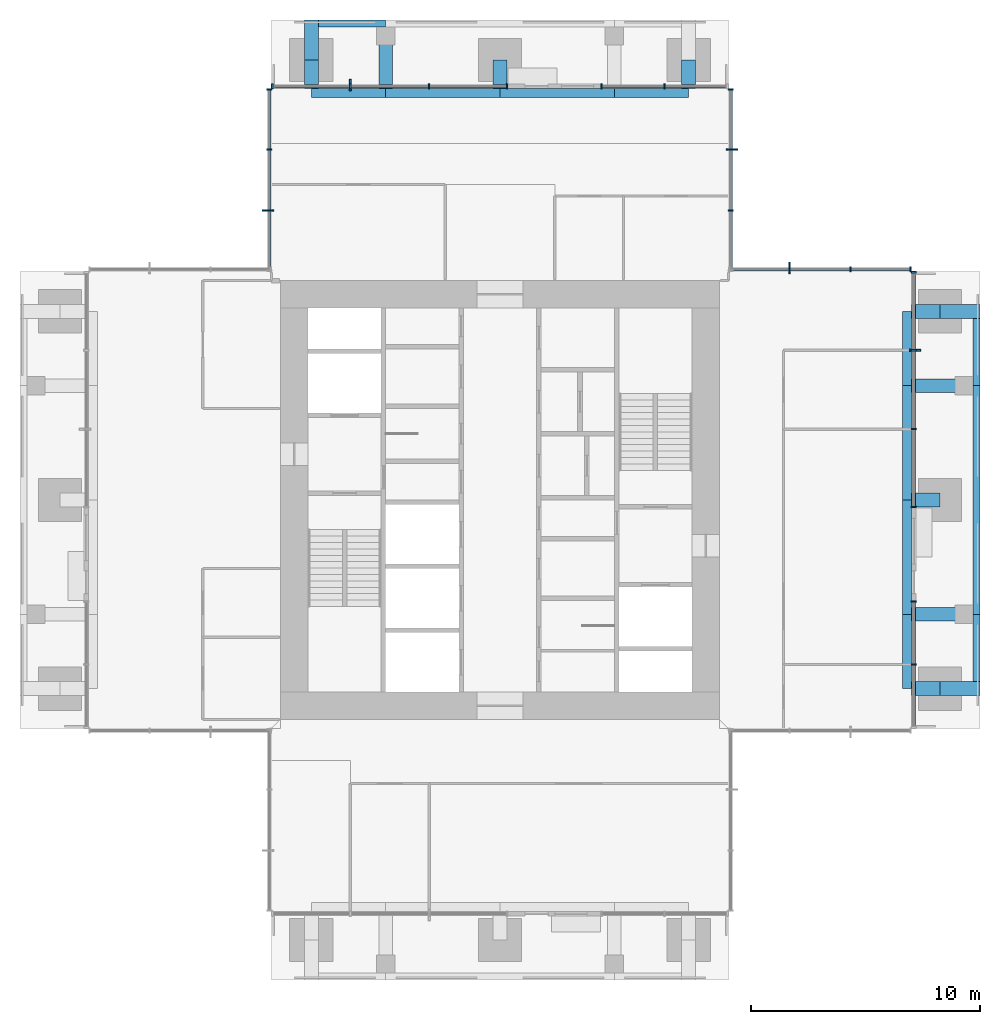
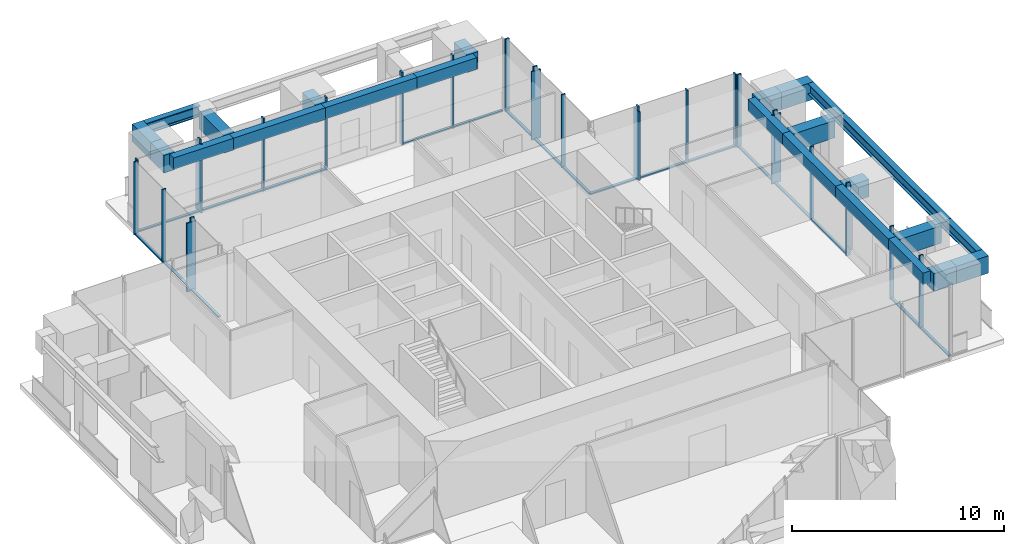
# One storey, part 4 of 12: 45 members, 24 beams, 7 elements without a shape of their own.
"""IFC4 building model written with IfcOpenShell, lengths in metres."""

from ifc_helpers import new_model, si_unit, direction, frame, origin, origin_2d, place, context, subcontext, project, spatial, rectangle, i_section, extrude, material, material_profile, profile_set, type_object, element, aggregate, save


model = new_model("IFC4")

# Units and contexts
model_context = context("Model", 3, precision=1e-05, world=origin(), true_north=direction((0.0, 1.0)))
body_context = subcontext(model_context, "Body", "Model", "MODEL_VIEW")
ifc_project = project(units=[si_unit("LENGTHUNIT", "METRE"), si_unit("AREAUNIT", "SQUARE_METRE"), si_unit("VOLUMEUNIT", "CUBIC_METRE"), si_unit("PLANEANGLEUNIT", "RADIAN"), si_unit("MASSUNIT", "GRAM", prefix="KILO")], contexts=[model_context])

# Site, building, storey
site_placement = place(None, origin())
site = spatial("IfcSite", under=ifc_project, at=site_placement, CompositionType="ELEMENT")
building_placement = place(site_placement, origin())
building = spatial("IfcBuilding", under=site, at=building_placement, Name="Svetlomir Tower", CompositionType="ELEMENT")
storey_placement = place(building_placement, frame((0.0, 0.0, 260.800048828125)))
storey = spatial("IfcBuildingStorey", under=building, at=storey_placement, Name="L62", CompositionType="ELEMENT", Elevation=260.800048828125)

# Curtain wall, member
ifc_material_1 = material(Name="Bronze anodised aluminium curtain wall", Category="aluminium")
curtain_wall_type = type_object("IfcCurtainWallType", Name="CURTAIN WALL CW4 EXECUTIVE", PredefinedType="NOTDEFINED", material=ifc_material_1)
curtain_wall_1_placement = place(storey_placement, origin())
curtain_wall_1 = element("IfcCurtainWall", 1, at=curtain_wall_1_placement, inside=storey, type_object=curtain_wall_type, Name="Curtain wall CW4 L62", PredefinedType="NOTDEFINED")
ifc_material_2 = material(Name="Bronze anodised aluminium", Category="aluminium")
ifc_material_profile_1 = material_profile(ifc_material_2, rectangle(XDim=0.080078125, YDim=0.5, at=origin_2d()), Name="FIN 80x500")
ifc_profile_set_1 = profile_set([ifc_material_profile_1], Name="Bronze anodised aluminium 6063-T6")
member_type_1 = type_object("IfcMemberType", Name="BRONZE FIN 80x500", PredefinedType="USERDEFINED", material=ifc_profile_set_1)
member_1_placement = place(storey_placement, frame((39.14990234375, 27.550048828125, 0.0), z_axis=(0.0, 0.0, 1.0), x_axis=(0.0, 1.0, 0.0)))
member_1 = element("IfcMember", 2, at=member_1_placement, type_object=member_type_1, Name="Bronze fin L62", ObjectType="FIN", PredefinedType="USERDEFINED", context=body_context, shape_type="SweptSolid", body=[
    extrude(rectangle(XDim=0.080078125, YDim=0.5, at=origin_2d()), origin(), (0.0, 0.0, 1.0), 3.949951171875),
])

curtain_wall_2_placement = place(storey_placement, origin())
curtain_wall_2 = element("IfcCurtainWall", 3, at=curtain_wall_2_placement, inside=storey, type_object=curtain_wall_type, Name="Curtain wall CW4 L62", PredefinedType="NOTDEFINED")
member_2_placement = place(storey_placement, frame((33.666748046875, 31.14990234375, 0.0), z_axis=(0.0, 0.0, 1.0), x_axis=(1.0, 0.0, 0.0)))
member_2 = element("IfcMember", 4, at=member_2_placement, type_object=member_type_1, Name="Bronze fin L62", ObjectType="FIN", PredefinedType="USERDEFINED", context=body_context, shape_type="SweptSolid", body=[
    extrude(rectangle(XDim=0.080078125, YDim=0.5, at=origin_2d()), origin(), (0.0, 0.0, 1.0), 3.949951171875),
])

curtain_wall_3_placement = place(storey_placement, origin())
curtain_wall_3 = element("IfcCurtainWall", 5, at=curtain_wall_3_placement, inside=storey, type_object=curtain_wall_type, Name="Curtain wall CW4 L62", PredefinedType="NOTDEFINED")
member_3_placement = place(storey_placement, frame((31.14990234375, 36.333251953125, 0.0), z_axis=(0.0, 0.0, 1.0), x_axis=(0.0, 1.0, 0.0)))
member_3 = element("IfcMember", 6, at=member_3_placement, type_object=member_type_1, Name="Bronze fin L62", ObjectType="FIN", PredefinedType="USERDEFINED", context=body_context, shape_type="SweptSolid", body=[
    extrude(rectangle(XDim=0.080078125, YDim=0.5, at=origin_2d()), origin(), (0.0, 0.0, 1.0), 3.949951171875),
])

curtain_wall_4_placement = place(storey_placement, origin())
curtain_wall_4 = element("IfcCurtainWall", 7, at=curtain_wall_4_placement, inside=storey, type_object=curtain_wall_type, Name="Curtain wall CW4 L62", PredefinedType="NOTDEFINED")
member_4_placement = place(storey_placement, frame((14.449951171875, 39.14990234375, 0.0), z_axis=(0.0, 0.0, 1.0), x_axis=(1.0, 0.0, 0.0)))
member_4 = element("IfcMember", 8, at=member_4_placement, type_object=member_type_1, Name="Bronze fin L62", ObjectType="FIN", PredefinedType="USERDEFINED", context=body_context, shape_type="SweptSolid", body=[
    extrude(rectangle(XDim=0.080078125, YDim=0.5, at=origin_2d()), origin(), (0.0, 0.0, 1.0), 3.949951171875),
])

curtain_wall_5_placement = place(storey_placement, origin())
curtain_wall_5 = element("IfcCurtainWall", 9, at=curtain_wall_5_placement, inside=storey, type_object=curtain_wall_type, Name="Curtain wall CW4 L62", PredefinedType="NOTDEFINED")
member_5_placement = place(storey_placement, frame((10.85009765625, 33.666748046875, 0.0), z_axis=(0.0, 0.0, 1.0), x_axis=(0.0, 1.0, 0.0)))
member_5 = element("IfcMember", 10, at=member_5_placement, type_object=member_type_1, Name="Bronze fin L62", ObjectType="FIN", PredefinedType="USERDEFINED", context=body_context, shape_type="SweptSolid", body=[
    extrude(rectangle(XDim=0.080078125, YDim=0.5, at=origin_2d()), origin(), (0.0, 0.0, 1.0), 3.949951171875),
])

# Curtain wall, members
curtain_wall_6_placement = place(storey_placement, origin())
curtain_wall_6 = element("IfcCurtainWall", 11, at=curtain_wall_6_placement, inside=storey, type_object=curtain_wall_type, Name="Curtain wall CW4 L62", PredefinedType="NOTDEFINED")
ifc_material_3 = material(Name="Bronze anodised aluminium", Category="aluminium")
ifc_material_profile_2 = material_profile(ifc_material_3, rectangle(XDim=0.074951171875, YDim=0.219970703125, at=origin_2d()), Name="AL 75x220")
ifc_profile_set_2 = profile_set([ifc_material_profile_2], Name="Bronze anodised aluminium 6063-T6")
member_type_2 = type_object("IfcMemberType", Name="CW4 MULLION 75x220", PredefinedType="MULLION", material=ifc_profile_set_2)
member_6_placement = place(storey_placement, frame((39.10009765625, 13.800048828125, 0.0), z_axis=(0.0, 0.0, 1.0), x_axis=(0.0, 1.0, 0.0)))
member_6 = element("IfcMember", 12, at=member_6_placement, type_object=member_type_2, Name="CW4 mullion 2", PredefinedType="MULLION", context=body_context, shape_type="SweptSolid", body=[
    extrude(rectangle(XDim=0.074951171875, YDim=0.219970703125, at=origin_2d()), origin(), (0.0, 0.0, 1.0), 4.199951171875),
])
member_7_placement = place(storey_placement, frame((39.10009765625, 16.5625, 0.0), z_axis=(0.0, 0.0, 1.0), x_axis=(0.0, 1.0, 0.0)))
member_7 = element("IfcMember", 13, at=member_7_placement, type_object=member_type_2, Name="CW4 mullion 3", PredefinedType="MULLION", context=body_context, shape_type="SweptSolid", body=[
    extrude(rectangle(XDim=0.074951171875, YDim=0.219970703125, at=origin_2d()), origin(), (0.0, 0.0, 1.0), 4.199951171875),
])

# Member
member_8_placement = place(storey_placement, frame((39.10009765625, 20.6875, 0.0), z_axis=(0.0, 0.0, 1.0), x_axis=(0.0, 1.0, 0.0)))
member_8 = element("IfcMember", 14, at=member_8_placement, type_object=member_type_2, Name="CW4 mullion 1", PredefinedType="MULLION", context=body_context, shape_type="SweptSolid", body=[
    extrude(rectangle(XDim=0.074951171875, YDim=0.219970703125, at=origin_2d()), origin(), (0.0, 0.0, 1.0), 4.199951171875),
])

member_9_placement = place(storey_placement, frame((39.10009765625, 24.10009765625, 0.0), z_axis=(0.0, 0.0, 1.0), x_axis=(0.0, 1.0, 0.0)))
member_9 = element("IfcMember", 15, at=member_9_placement, type_object=member_type_2, Name="CW4 mullion 2", PredefinedType="MULLION", context=body_context, shape_type="SweptSolid", body=[
    extrude(rectangle(XDim=0.074951171875, YDim=0.219970703125, at=origin_2d()), origin(), (0.0, 0.0, 1.0), 4.199951171875),
])

member_10_placement = place(storey_placement, frame((39.10009765625, 27.550048828125, 0.0), z_axis=(0.0, 0.0, 1.0), x_axis=(0.0, 1.0, 0.0)))
member_10 = element("IfcMember", 16, at=member_10_placement, type_object=member_type_2, Name="CW4 mullion 3", PredefinedType="MULLION", context=body_context, shape_type="SweptSolid", body=[
    extrude(rectangle(XDim=0.074951171875, YDim=0.219970703125, at=origin_2d()), origin(), (0.0, 0.0, 1.0), 4.199951171875),
])

member_11_placement = place(storey_placement, frame((39.10009765625, 30.96240234375, 0.0), z_axis=(0.0, 0.0, 1.0), x_axis=(0.0, 1.0, 0.0)))
member_11 = element("IfcMember", 17, at=member_11_placement, type_object=member_type_2, Name="CW4 mullion 4", PredefinedType="MULLION", context=body_context, shape_type="SweptSolid", body=[
    extrude(rectangle(XDim=0.074951171875, YDim=0.219970703125, at=origin_2d()), origin(), (0.0, 0.0, 1.0), 4.199951171875),
])

member_12_placement = place(storey_placement, frame((38.96240234375, 31.10009765625, 0.0), z_axis=(0.0, 0.0, 1.0), x_axis=(-1.0, 0.0, 0.0)))
member_12 = element("IfcMember", 18, at=member_12_placement, type_object=member_type_2, Name="CW4 mullion 1", PredefinedType="MULLION", context=body_context, shape_type="SweptSolid", body=[
    extrude(rectangle(XDim=0.074951171875, YDim=0.219970703125, at=origin_2d()), origin(), (0.0, 0.0, 1.0), 4.199951171875),
])

member_13_placement = place(storey_placement, frame((36.333251953125, 31.10009765625, 0.0), z_axis=(0.0, 0.0, 1.0), x_axis=(-1.0, 0.0, 0.0)))
member_13 = element("IfcMember", 19, at=member_13_placement, type_object=member_type_2, Name="CW4 mullion 2", PredefinedType="MULLION", context=body_context, shape_type="SweptSolid", body=[
    extrude(rectangle(XDim=0.074951171875, YDim=0.219970703125, at=origin_2d()), origin(), (0.0, 0.0, 1.0), 4.199951171875),
])

member_14_placement = place(storey_placement, frame((33.666748046875, 31.10009765625, 0.0), z_axis=(0.0, 0.0, 1.0), x_axis=(-1.0, 0.0, 0.0)))
member_14 = element("IfcMember", 20, at=member_14_placement, type_object=member_type_2, Name="CW4 mullion 3", PredefinedType="MULLION", context=body_context, shape_type="SweptSolid", body=[
    extrude(rectangle(XDim=0.074951171875, YDim=0.219970703125, at=origin_2d()), origin(), (0.0, 0.0, 1.0), 4.199951171875),
])

member_15_placement = place(storey_placement, frame((31.10009765625, 33.666748046875, 0.0), z_axis=(0.0, 0.0, 1.0), x_axis=(0.0, 1.0, 0.0)))
member_15 = element("IfcMember", 21, at=member_15_placement, type_object=member_type_2, Name="CW4 mullion 2", PredefinedType="MULLION", context=body_context, shape_type="SweptSolid", body=[
    extrude(rectangle(XDim=0.074951171875, YDim=0.219970703125, at=origin_2d()), origin(), (0.0, 0.0, 1.0), 4.199951171875),
])

member_16_placement = place(storey_placement, frame((31.10009765625, 36.333251953125, 0.0), z_axis=(0.0, 0.0, 1.0), x_axis=(0.0, 1.0, 0.0)))
member_16 = element("IfcMember", 22, at=member_16_placement, type_object=member_type_2, Name="CW4 mullion 3", PredefinedType="MULLION", context=body_context, shape_type="SweptSolid", body=[
    extrude(rectangle(XDim=0.074951171875, YDim=0.219970703125, at=origin_2d()), origin(), (0.0, 0.0, 1.0), 4.199951171875),
])

member_17_placement = place(storey_placement, frame((31.10009765625, 38.96240234375, 0.0), z_axis=(0.0, 0.0, 1.0), x_axis=(0.0, 1.0, 0.0)))
member_17 = element("IfcMember", 23, at=member_17_placement, type_object=member_type_2, Name="CW4 mullion 4", PredefinedType="MULLION", context=body_context, shape_type="SweptSolid", body=[
    extrude(rectangle(XDim=0.074951171875, YDim=0.219970703125, at=origin_2d()), origin(), (0.0, 0.0, 1.0), 4.199951171875),
])

# Curtain wall, members
curtain_wall_7_placement = place(storey_placement, origin())
curtain_wall_7 = element("IfcCurtainWall", 24, at=curtain_wall_7_placement, inside=storey, type_object=curtain_wall_type, Name="Curtain wall CW4 L62", PredefinedType="NOTDEFINED")
member_18_placement = place(storey_placement, frame((28.199951171875, 39.10009765625, 0.0), z_axis=(0.0, 0.0, 1.0), x_axis=(-1.0, 0.0, 0.0)))
member_18 = element("IfcMember", 25, at=member_18_placement, type_object=member_type_2, Name="CW4 mullion 2", PredefinedType="MULLION", context=body_context, shape_type="SweptSolid", body=[
    extrude(rectangle(XDim=0.074951171875, YDim=0.219970703125, at=origin_2d()), origin(), (0.0, 0.0, 1.0), 4.199951171875),
])
member_19_placement = place(storey_placement, frame((25.4375, 39.10009765625, 0.0), z_axis=(0.0, 0.0, 1.0), x_axis=(-1.0, 0.0, 0.0)))
member_19 = element("IfcMember", 26, at=member_19_placement, type_object=member_type_2, Name="CW4 mullion 3", PredefinedType="MULLION", context=body_context, shape_type="SweptSolid", body=[
    extrude(rectangle(XDim=0.074951171875, YDim=0.219970703125, at=origin_2d()), origin(), (0.0, 0.0, 1.0), 4.199951171875),
])

# Member
member_20_placement = place(storey_placement, frame((21.3125, 39.10009765625, 0.0), z_axis=(0.0, 0.0, 1.0), x_axis=(-1.0, 0.0, 0.0)))
member_20 = element("IfcMember", 27, at=member_20_placement, type_object=member_type_2, Name="CW4 mullion 1", PredefinedType="MULLION", context=body_context, shape_type="SweptSolid", body=[
    extrude(rectangle(XDim=0.074951171875, YDim=0.219970703125, at=origin_2d()), origin(), (0.0, 0.0, 1.0), 4.199951171875),
])

member_21_placement = place(storey_placement, frame((17.89990234375, 39.10009765625, 0.0), z_axis=(0.0, 0.0, 1.0), x_axis=(-1.0, 0.0, 0.0)))
member_21 = element("IfcMember", 28, at=member_21_placement, type_object=member_type_2, Name="CW4 mullion 2", PredefinedType="MULLION", context=body_context, shape_type="SweptSolid", body=[
    extrude(rectangle(XDim=0.074951171875, YDim=0.219970703125, at=origin_2d()), origin(), (0.0, 0.0, 1.0), 4.199951171875),
])

member_22_placement = place(storey_placement, frame((14.449951171875, 39.10009765625, 0.0), z_axis=(0.0, 0.0, 1.0), x_axis=(-1.0, 0.0, 0.0)))
member_22 = element("IfcMember", 29, at=member_22_placement, type_object=member_type_2, Name="CW4 mullion 3", PredefinedType="MULLION", context=body_context, shape_type="SweptSolid", body=[
    extrude(rectangle(XDim=0.074951171875, YDim=0.219970703125, at=origin_2d()), origin(), (0.0, 0.0, 1.0), 4.199951171875),
])

member_23_placement = place(storey_placement, frame((11.03759765625, 39.10009765625, 0.0), z_axis=(0.0, 0.0, 1.0), x_axis=(-1.0, 0.0, 0.0)))
member_23 = element("IfcMember", 30, at=member_23_placement, type_object=member_type_2, Name="CW4 mullion 4", PredefinedType="MULLION", context=body_context, shape_type="SweptSolid", body=[
    extrude(rectangle(XDim=0.074951171875, YDim=0.219970703125, at=origin_2d()), origin(), (0.0, 0.0, 1.0), 4.199951171875),
])

member_24_placement = place(storey_placement, frame((10.89990234375, 38.96240234375, 0.0), z_axis=(0.0, 0.0, 1.0), x_axis=(0.0, -1.0, 0.0)))
member_24 = element("IfcMember", 31, at=member_24_placement, type_object=member_type_2, Name="CW4 mullion 1", PredefinedType="MULLION", context=body_context, shape_type="SweptSolid", body=[
    extrude(rectangle(XDim=0.074951171875, YDim=0.219970703125, at=origin_2d()), origin(), (0.0, 0.0, 1.0), 4.199951171875),
])

member_25_placement = place(storey_placement, frame((10.89990234375, 36.333251953125, 0.0), z_axis=(0.0, 0.0, 1.0), x_axis=(0.0, -1.0, 0.0)))
member_25 = element("IfcMember", 32, at=member_25_placement, type_object=member_type_2, Name="CW4 mullion 2", PredefinedType="MULLION", context=body_context, shape_type="SweptSolid", body=[
    extrude(rectangle(XDim=0.074951171875, YDim=0.219970703125, at=origin_2d()), origin(), (0.0, 0.0, 1.0), 4.199951171875),
])

member_26_placement = place(storey_placement, frame((10.89990234375, 33.666748046875, 0.0), z_axis=(0.0, 0.0, 1.0), x_axis=(0.0, -1.0, 0.0)))
member_26 = element("IfcMember", 33, at=member_26_placement, type_object=member_type_2, Name="CW4 mullion 3", PredefinedType="MULLION", context=body_context, shape_type="SweptSolid", body=[
    extrude(rectangle(XDim=0.074951171875, YDim=0.219970703125, at=origin_2d()), origin(), (0.0, 0.0, 1.0), 4.199951171875),
])

ifc_material_4 = material(Name="Bronze anodised aluminium", Category="aluminium")
ifc_material_profile_3 = material_profile(ifc_material_4, rectangle(XDim=0.14990234375, YDim=0.074951171875, at=origin_2d()), Name="AL 150x75")
ifc_profile_set_3 = profile_set([ifc_material_profile_3], Name="Bronze anodised aluminium 6063-T6")
member_type_3 = type_object("IfcMemberType", Name="CW4 TRANSOM 75x150", PredefinedType="USERDEFINED", material=ifc_profile_set_3)
member_27_placement = place(storey_placement, frame((39.10009765625, 11.074951171875, 0.037353515625), z_axis=(0.0, 1.0, 0.0), x_axis=(-1.0, 0.0, 0.0)))
member_27 = element("IfcMember", 34, at=member_27_placement, type_object=member_type_3, Name="CW4 transom 1.1", ObjectType="TRANSOM", PredefinedType="USERDEFINED", context=body_context, shape_type="SweptSolid", body=[
    extrude(rectangle(XDim=0.14990234375, YDim=0.074951171875, at=origin_2d()), origin(), (0.0, 0.0, 1.0), 2.6875),
])

member_28_placement = place(storey_placement, frame((39.10009765625, 13.83740234375, 0.037353515625), z_axis=(0.0, 1.0, 0.0), x_axis=(-1.0, 0.0, 0.0)))
member_28 = element("IfcMember", 35, at=member_28_placement, type_object=member_type_3, Name="CW4 transom 2.1", ObjectType="TRANSOM", PredefinedType="USERDEFINED", context=body_context, shape_type="SweptSolid", body=[
    extrude(rectangle(XDim=0.14990234375, YDim=0.074951171875, at=origin_2d()), origin(), (0.0, 0.0, 1.0), 2.6875),
])

aggregate(curtain_wall_6, [member_6, member_7, member_27, member_28])

member_29_placement = place(storey_placement, frame((39.10009765625, 20.72509765625, 0.037353515625), z_axis=(0.0, 1.0, 0.0), x_axis=(-1.0, 0.0, 0.0)))
member_29 = element("IfcMember", 36, at=member_29_placement, type_object=member_type_3, Name="CW4 transom 1.1", ObjectType="TRANSOM", PredefinedType="USERDEFINED", context=body_context, shape_type="SweptSolid", body=[
    extrude(rectangle(XDim=0.14990234375, YDim=0.074951171875, at=origin_2d()), origin(), (0.0, 0.0, 1.0), 3.33740234375),
])

member_30_placement = place(storey_placement, frame((39.10009765625, 24.137451171875, 0.037353515625), z_axis=(0.0, 1.0, 0.0), x_axis=(-1.0, 0.0, 0.0)))
member_30 = element("IfcMember", 37, at=member_30_placement, type_object=member_type_3, Name="CW4 transom 2.1", ObjectType="TRANSOM", PredefinedType="USERDEFINED", context=body_context, shape_type="SweptSolid", body=[
    extrude(rectangle(XDim=0.14990234375, YDim=0.074951171875, at=origin_2d()), origin(), (0.0, 0.0, 1.0), 3.375),
])

member_31_placement = place(storey_placement, frame((39.10009765625, 27.58740234375, 0.037353515625), z_axis=(0.0, 1.0, 0.0), x_axis=(-1.0, 0.0, 0.0)))
member_31 = element("IfcMember", 38, at=member_31_placement, type_object=member_type_3, Name="CW4 transom 3.1", ObjectType="TRANSOM", PredefinedType="USERDEFINED", context=body_context, shape_type="SweptSolid", body=[
    extrude(rectangle(XDim=0.14990234375, YDim=0.074951171875, at=origin_2d()), origin(), (0.0, 0.0, 1.0), 3.337646484375),
])

aggregate(curtain_wall_1, [member_8, member_9, member_10, member_11, member_29, member_30, member_31, member_1])

member_32_placement = place(storey_placement, frame((38.925048828125, 31.10009765625, 0.037353515625), z_axis=(-1.0, 0.0, 0.0), x_axis=(0.0, -1.0, 0.0)))
member_32 = element("IfcMember", 39, at=member_32_placement, type_object=member_type_3, Name="CW4 transom 1.1", ObjectType="TRANSOM", PredefinedType="USERDEFINED", context=body_context, shape_type="SweptSolid", body=[
    extrude(rectangle(XDim=0.14990234375, YDim=0.074951171875, at=origin_2d()), origin(), (0.0, 0.0, 1.0), 2.55419921875),
])

member_33_placement = place(storey_placement, frame((36.2958984375, 31.10009765625, 0.037353515625), z_axis=(-1.0, 0.0, 0.0), x_axis=(0.0, -1.0, 0.0)))
member_33 = element("IfcMember", 40, at=member_33_placement, type_object=member_type_3, Name="CW4 transom 2.1", ObjectType="TRANSOM", PredefinedType="USERDEFINED", context=body_context, shape_type="SweptSolid", body=[
    extrude(rectangle(XDim=0.14990234375, YDim=0.074951171875, at=origin_2d()), origin(), (0.0, 0.0, 1.0), 2.591796875),
])

member_34_placement = place(storey_placement, frame((33.629150390625, 31.10009765625, 0.037353515625), z_axis=(-1.0, 0.0, 0.0), x_axis=(0.0, -1.0, 0.0)))
member_34 = element("IfcMember", 41, at=member_34_placement, type_object=member_type_3, Name="CW4 transom 3.1", ObjectType="TRANSOM", PredefinedType="USERDEFINED", context=body_context, shape_type="SweptSolid", body=[
    extrude(rectangle(XDim=0.14990234375, YDim=0.074951171875, at=origin_2d()), origin(), (0.0, 0.0, 1.0), 2.55419921875),
])

aggregate(curtain_wall_2, [member_12, member_13, member_14, member_32, member_33, member_34, member_2])

member_35_placement = place(storey_placement, frame((31.10009765625, 31.074951171875, 0.037353515625), z_axis=(0.0, 1.0, 0.0), x_axis=(-1.0, 0.0, 0.0)))
member_35 = element("IfcMember", 42, at=member_35_placement, type_object=member_type_3, Name="CW4 transom 1.1", ObjectType="TRANSOM", PredefinedType="USERDEFINED", context=body_context, shape_type="SweptSolid", body=[
    extrude(rectangle(XDim=0.14990234375, YDim=0.074951171875, at=origin_2d()), origin(), (0.0, 0.0, 1.0), 2.55419921875),
])

member_36_placement = place(storey_placement, frame((31.10009765625, 33.7041015625, 0.037353515625), z_axis=(0.0, 1.0, 0.0), x_axis=(-1.0, 0.0, 0.0)))
member_36 = element("IfcMember", 43, at=member_36_placement, type_object=member_type_3, Name="CW4 transom 2.1", ObjectType="TRANSOM", PredefinedType="USERDEFINED", context=body_context, shape_type="SweptSolid", body=[
    extrude(rectangle(XDim=0.14990234375, YDim=0.074951171875, at=origin_2d()), origin(), (0.0, 0.0, 1.0), 2.591796875),
])

member_37_placement = place(storey_placement, frame((31.10009765625, 36.370849609375, 0.037353515625), z_axis=(0.0, 1.0, 0.0), x_axis=(-1.0, 0.0, 0.0)))
member_37 = element("IfcMember", 44, at=member_37_placement, type_object=member_type_3, Name="CW4 transom 3.1", ObjectType="TRANSOM", PredefinedType="USERDEFINED", context=body_context, shape_type="SweptSolid", body=[
    extrude(rectangle(XDim=0.14990234375, YDim=0.074951171875, at=origin_2d()), origin(), (0.0, 0.0, 1.0), 2.55419921875),
])

aggregate(curtain_wall_3, [member_15, member_16, member_17, member_35, member_36, member_37, member_3])

member_38_placement = place(storey_placement, frame((30.925048828125, 39.10009765625, 0.037353515625), z_axis=(-1.0, 0.0, 0.0), x_axis=(0.0, -1.0, 0.0)))
member_38 = element("IfcMember", 45, at=member_38_placement, type_object=member_type_3, Name="CW4 transom 1.1", ObjectType="TRANSOM", PredefinedType="USERDEFINED", context=body_context, shape_type="SweptSolid", body=[
    extrude(rectangle(XDim=0.14990234375, YDim=0.074951171875, at=origin_2d()), origin(), (0.0, 0.0, 1.0), 2.6875),
])

member_39_placement = place(storey_placement, frame((28.16259765625, 39.10009765625, 0.037353515625), z_axis=(-1.0, 0.0, 0.0), x_axis=(0.0, -1.0, 0.0)))
member_39 = element("IfcMember", 46, at=member_39_placement, type_object=member_type_3, Name="CW4 transom 2.1", ObjectType="TRANSOM", PredefinedType="USERDEFINED", context=body_context, shape_type="SweptSolid", body=[
    extrude(rectangle(XDim=0.14990234375, YDim=0.074951171875, at=origin_2d()), origin(), (0.0, 0.0, 1.0), 2.6875),
])

aggregate(curtain_wall_7, [member_18, member_19, member_38, member_39])

member_40_placement = place(storey_placement, frame((21.27490234375, 39.10009765625, 0.037353515625), z_axis=(-1.0, 0.0, 0.0), x_axis=(0.0, -1.0, 0.0)))
member_40 = element("IfcMember", 47, at=member_40_placement, type_object=member_type_3, Name="CW4 transom 1.1", ObjectType="TRANSOM", PredefinedType="USERDEFINED", context=body_context, shape_type="SweptSolid", body=[
    extrude(rectangle(XDim=0.14990234375, YDim=0.074951171875, at=origin_2d()), origin(), (0.0, 0.0, 1.0), 3.33740234375),
])

member_41_placement = place(storey_placement, frame((17.862548828125, 39.10009765625, 0.037353515625), z_axis=(-1.0, 0.0, 0.0), x_axis=(0.0, -1.0, 0.0)))
member_41 = element("IfcMember", 48, at=member_41_placement, type_object=member_type_3, Name="CW4 transom 2.1", ObjectType="TRANSOM", PredefinedType="USERDEFINED", context=body_context, shape_type="SweptSolid", body=[
    extrude(rectangle(XDim=0.14990234375, YDim=0.074951171875, at=origin_2d()), origin(), (0.0, 0.0, 1.0), 3.375),
])

member_42_placement = place(storey_placement, frame((14.41259765625, 39.10009765625, 0.037353515625), z_axis=(-1.0, 0.0, 0.0), x_axis=(0.0, -1.0, 0.0)))
member_42 = element("IfcMember", 49, at=member_42_placement, type_object=member_type_3, Name="CW4 transom 3.1", ObjectType="TRANSOM", PredefinedType="USERDEFINED", context=body_context, shape_type="SweptSolid", body=[
    extrude(rectangle(XDim=0.14990234375, YDim=0.074951171875, at=origin_2d()), origin(), (0.0, 0.0, 1.0), 3.337646484375),
])

aggregate(curtain_wall_4, [member_20, member_21, member_22, member_23, member_40, member_41, member_42, member_4])

member_43_placement = place(storey_placement, frame((10.89990234375, 38.925048828125, 0.037353515625), z_axis=(0.0, -1.0, 0.0), x_axis=(1.0, 0.0, 0.0)))
member_43 = element("IfcMember", 50, at=member_43_placement, type_object=member_type_3, Name="CW4 transom 1.1", ObjectType="TRANSOM", PredefinedType="USERDEFINED", context=body_context, shape_type="SweptSolid", body=[
    extrude(rectangle(XDim=0.14990234375, YDim=0.074951171875, at=origin_2d()), origin(), (0.0, 0.0, 1.0), 2.55419921875),
])

member_44_placement = place(storey_placement, frame((10.89990234375, 36.2958984375, 0.037353515625), z_axis=(0.0, -1.0, 0.0), x_axis=(1.0, 0.0, 0.0)))
member_44 = element("IfcMember", 51, at=member_44_placement, type_object=member_type_3, Name="CW4 transom 2.1", ObjectType="TRANSOM", PredefinedType="USERDEFINED", context=body_context, shape_type="SweptSolid", body=[
    extrude(rectangle(XDim=0.14990234375, YDim=0.074951171875, at=origin_2d()), origin(), (0.0, 0.0, 1.0), 2.591796875),
])

member_45_placement = place(storey_placement, frame((10.89990234375, 33.629150390625, 0.037353515625), z_axis=(0.0, -1.0, 0.0), x_axis=(1.0, 0.0, 0.0)))
member_45 = element("IfcMember", 52, at=member_45_placement, type_object=member_type_3, Name="CW4 transom 3.1", ObjectType="TRANSOM", PredefinedType="USERDEFINED", context=body_context, shape_type="SweptSolid", body=[
    extrude(rectangle(XDim=0.14990234375, YDim=0.074951171875, at=origin_2d()), origin(), (0.0, 0.0, 1.0), 2.55419921875),
])

aggregate(curtain_wall_5, [member_24, member_25, member_26, member_43, member_44, member_45, member_5])

# Beams
ifc_material_5 = material(Name="Steel S355", Category="steel")
ifc_material_profile_4 = material_profile(ifc_material_5, i_section(OverallWidth=0.304931640625, OverallDepth=0.6201171875, WebThickness=0.02099609375, FlangeThickness=0.0400390625, FilletRadius=0.027099609375, at=origin_2d()), Name="HEM 600")
ifc_profile_set_4 = profile_set([ifc_material_profile_4], Name="Steel S355")
beam_type_1 = type_object("IfcBeamType", Name="EDGE BEAM HEM 600", PredefinedType="SPANDREL", material=ifc_profile_set_4)
for number, where, z_axis, x_axis, name in (
    (53, (41.847412109375, 13.050048828125, 3.639892578125), (0.0, 1.0, 0.0), (-1.0, 0.0, 0.0), "Edge beam 42/11 to 42/16 under L63"),
    (54, (13.050048828125, 41.847412109375, 3.639892578125), (1.0, 0.0, 0.0), (0.0, 1.0, 0.0), "Edge beam 11/42 to 16/42 under L63"),
):
    element("IfcBeam", number, at=place(storey_placement, frame(where, z_axis=z_axis, x_axis=x_axis)), inside=storey, type_object=beam_type_1, Name=name, PredefinedType="SPANDREL", context=body_context, shape_type="SweptSolid", body=[
        extrude(i_section(OverallWidth=0.304931640625, OverallDepth=0.6201171875, WebThickness=0.02099609375, FlangeThickness=0.0400390625, FilletRadius=0.027099609375, at=origin_2d()), origin(), (0.0, 0.0, 1.0), 2.949951171875),
    ])
beam_1_placement = place(storey_placement, frame((41.847412109375, 16.0, 3.639892578125), z_axis=(0.0, 1.0, 0.0), x_axis=(-1.0, 0.0, 0.0)))
element("IfcBeam", 55, at=beam_1_placement, inside=storey, type_object=beam_type_1, Name="Edge beam 42/16 to 42/26 under L63", PredefinedType="SPANDREL", context=body_context, shape_type="SweptSolid", body=[
    extrude(i_section(OverallWidth=0.304931640625, OverallDepth=0.6201171875, WebThickness=0.02099609375, FlangeThickness=0.0400390625, FilletRadius=0.027099609375, at=origin_2d()), origin(), (0.0, 0.0, 1.0), 10.0),
])
beam_2_placement = place(storey_placement, frame((41.847412109375, 26.0, 3.639892578125), z_axis=(0.0, 1.0, 0.0), x_axis=(-1.0, 0.0, 0.0)))
element("IfcBeam", 56, at=beam_2_placement, inside=storey, type_object=beam_type_1, Name="Edge beam 42/26 to 42/31 under L63", PredefinedType="SPANDREL", context=body_context, shape_type="SweptSolid", body=[
    extrude(i_section(OverallWidth=0.304931640625, OverallDepth=0.6201171875, WebThickness=0.02099609375, FlangeThickness=0.0400390625, FilletRadius=0.027099609375, at=origin_2d()), origin(), (0.0, 0.0, 1.0), 2.949951171875),
])
ifc_material_6 = material(Name="Concrete C60/75", Category="concrete")
ifc_material_profile_5 = material_profile(ifc_material_6, rectangle(XDim=0.60009765625, YDim=1.0, at=origin_2d()), Name="RC 600x1000")
ifc_profile_set_5 = profile_set([ifc_material_profile_5], Name="Concrete C60/75")
beam_type_2 = type_object("IfcBeamType", Name="EDGE LINK BEAM RC 600x1000", PredefinedType="BEAM", material=ifc_profile_set_5)
for number, where, z_axis, x_axis, name in (
    (57, (12.75, 40.25, 3.449951171875), (0.0, 1.0, 0.0), (-1.0, 0.0, 0.0), "Edge link beam N 11/42 under L63"),
    (58, (40.25, 12.75, 3.449951171875), (1.0, 0.0, 0.0), (0.0, 1.0, 0.0), "Edge link beam E 42/11 under L63"),
    (59, (40.25, 29.25, 3.449951171875), (1.0, 0.0, 0.0), (0.0, 1.0, 0.0), "Edge link beam E 42/31 under L63"),
):
    element("IfcBeam", number, at=place(storey_placement, frame(where, z_axis=z_axis, x_axis=x_axis)), inside=storey, type_object=beam_type_2, Name=name, PredefinedType="BEAM", context=body_context, shape_type="SweptSolid", body=[
        extrude(rectangle(XDim=0.60009765625, YDim=1.0, at=origin_2d()), origin(), (0.0, 0.0, 1.0), 1.75),
    ])
ifc_material_7 = material(Name="Concrete C60/75", Category="concrete")
ifc_material_profile_6 = material_profile(ifc_material_7, rectangle(XDim=0.39990234375, YDim=0.64990234375, at=origin_2d()), Name="RC 400x650")
ifc_profile_set_6 = profile_set([ifc_material_profile_6], Name="Concrete C60/75")
beam_type_3 = type_object("IfcBeamType", Name="FACADE EDGE BEAM RC 400x650", PredefinedType="BEAM", material=ifc_profile_set_6)
beam_3_placement = place(storey_placement, frame((12.75, 38.800048828125, 3.625), z_axis=(1.0, 0.0, 0.0), x_axis=(0.0, 1.0, 0.0)))
element("IfcBeam", 60, at=beam_3_placement, inside=storey, type_object=beam_type_3, Name="Facade edge beam N 11 to 16 under L63", PredefinedType="BEAM", context=body_context, shape_type="SweptSolid", body=[
    extrude(rectangle(XDim=0.39990234375, YDim=0.64990234375, at=origin_2d()), origin(), (0.0, 0.0, 1.0), 3.25),
])
for number, where, z_axis, x_axis, name in (
    (61, (16.0, 38.800048828125, 3.625), (1.0, 0.0, 0.0), (0.0, 1.0, 0.0), "Facade edge beam N 16 to 21 under L63"),
    (62, (21.0, 38.800048828125, 3.625), (1.0, 0.0, 0.0), (0.0, 1.0, 0.0), "Facade edge beam N 21 to 26 under L63"),
):
    element("IfcBeam", number, at=place(storey_placement, frame(where, z_axis=z_axis, x_axis=x_axis)), inside=storey, type_object=beam_type_3, Name=name, PredefinedType="BEAM", context=body_context, shape_type="SweptSolid", body=[
        extrude(rectangle(XDim=0.39990234375, YDim=0.64990234375, at=origin_2d()), origin(), (0.0, 0.0, 1.0), 5.0),
    ])
for number, where, z_axis, x_axis, name in (
    (63, (26.0, 38.800048828125, 3.625), (1.0, 0.0, 0.0), (0.0, 1.0, 0.0), "Facade edge beam N 26 to 31 under L63"),
    (64, (38.800048828125, 12.75, 3.625), (0.0, 1.0, 0.0), (-1.0, 0.0, 0.0), "Facade edge beam E 11 to 16 under L63"),
):
    element("IfcBeam", number, at=place(storey_placement, frame(where, z_axis=z_axis, x_axis=x_axis)), inside=storey, type_object=beam_type_3, Name=name, PredefinedType="BEAM", context=body_context, shape_type="SweptSolid", body=[
        extrude(rectangle(XDim=0.39990234375, YDim=0.64990234375, at=origin_2d()), origin(), (0.0, 0.0, 1.0), 3.25),
    ])
for number, where, z_axis, x_axis, name in (
    (65, (38.800048828125, 16.0, 3.625), (0.0, 1.0, 0.0), (-1.0, 0.0, 0.0), "Facade edge beam E 16 to 21 under L63"),
    (66, (38.800048828125, 21.0, 3.625), (0.0, 1.0, 0.0), (-1.0, 0.0, 0.0), "Facade edge beam E 21 to 26 under L63"),
):
    element("IfcBeam", number, at=place(storey_placement, frame(where, z_axis=z_axis, x_axis=x_axis)), inside=storey, type_object=beam_type_3, Name=name, PredefinedType="BEAM", context=body_context, shape_type="SweptSolid", body=[
        extrude(rectangle(XDim=0.39990234375, YDim=0.64990234375, at=origin_2d()), origin(), (0.0, 0.0, 1.0), 5.0),
    ])
beam_4_placement = place(storey_placement, frame((38.800048828125, 26.0, 3.625), z_axis=(0.0, 1.0, 0.0), x_axis=(-1.0, 0.0, 0.0)))
element("IfcBeam", 67, at=beam_4_placement, inside=storey, type_object=beam_type_3, Name="Facade edge beam E 26 to 31 under L63", PredefinedType="BEAM", context=body_context, shape_type="SweptSolid", body=[
    extrude(rectangle(XDim=0.39990234375, YDim=0.64990234375, at=origin_2d()), origin(), (0.0, 0.0, 1.0), 3.25),
])
ifc_material_8 = material(Name="Concrete C60/75", Category="concrete")
ifc_material_profile_7 = material_profile(ifc_material_8, rectangle(XDim=0.60009765625, YDim=1.0, at=origin_2d()), Name="RC 600x1000")
ifc_profile_set_7 = profile_set([ifc_material_profile_7], Name="Concrete C60/75")
beam_type_4 = type_object("IfcBeamType", Name="LOGGIA LINK BEAM RC 600x1000", PredefinedType="BEAM", material=ifc_profile_set_7)
beam_5_placement = place(storey_placement, frame((12.75, 40.25, 3.449951171875), z_axis=(0.0, -1.0, 0.0), x_axis=(1.0, 0.0, 0.0)))
element("IfcBeam", 68, at=beam_5_placement, inside=storey, type_object=beam_type_4, Name="Loggia link beam N 11 under L63", PredefinedType="BEAM", context=body_context, shape_type="SweptSolid", body=[
    extrude(rectangle(XDim=0.60009765625, YDim=1.0, at=origin_2d()), origin(), (0.0, 0.0, 1.0), 1.25),
])
beam_6_placement = place(storey_placement, frame((16.0, 41.300048828125, 3.449951171875), z_axis=(0.0, -1.0, 0.0), x_axis=(1.0, 0.0, 0.0)))
element("IfcBeam", 69, at=beam_6_placement, inside=storey, type_object=beam_type_4, Name="Loggia link beam N 16 under L63", PredefinedType="BEAM", context=body_context, shape_type="SweptSolid", body=[
    extrude(rectangle(XDim=0.60009765625, YDim=1.0, at=origin_2d()), origin(), (0.0, 0.0, 1.0), 2.300048828125),
])
for number, where, z_axis, x_axis, name in (
    (70, (21.0, 40.25, 3.449951171875), (0.0, -1.0, 0.0), (1.0, 0.0, 0.0), "Loggia link beam N 21 under L63"),
    (71, (29.25, 40.25, 3.449951171875), (0.0, -1.0, 0.0), (1.0, 0.0, 0.0), "Loggia link beam N 31 under L63"),
    (72, (40.25, 12.75, 3.449951171875), (-1.0, 0.0, 0.0), (0.0, -1.0, 0.0), "Loggia link beam E 11 under L63"),
):
    element("IfcBeam", number, at=place(storey_placement, frame(where, z_axis=z_axis, x_axis=x_axis)), inside=storey, type_object=beam_type_4, Name=name, PredefinedType="BEAM", context=body_context, shape_type="SweptSolid", body=[
        extrude(rectangle(XDim=0.60009765625, YDim=1.0, at=origin_2d()), origin(), (0.0, 0.0, 1.0), 1.25),
    ])
beam_7_placement = place(storey_placement, frame((41.300048828125, 16.0, 3.449951171875), z_axis=(-1.0, 0.0, 0.0), x_axis=(0.0, -1.0, 0.0)))
element("IfcBeam", 73, at=beam_7_placement, inside=storey, type_object=beam_type_4, Name="Loggia link beam E 16 under L63", PredefinedType="BEAM", context=body_context, shape_type="SweptSolid", body=[
    extrude(rectangle(XDim=0.60009765625, YDim=1.0, at=origin_2d()), origin(), (0.0, 0.0, 1.0), 2.300048828125),
])
beam_8_placement = place(storey_placement, frame((40.25, 21.0, 3.449951171875), z_axis=(-1.0, 0.0, 0.0), x_axis=(0.0, -1.0, 0.0)))
element("IfcBeam", 74, at=beam_8_placement, inside=storey, type_object=beam_type_4, Name="Loggia link beam E 21 under L63", PredefinedType="BEAM", context=body_context, shape_type="SweptSolid", body=[
    extrude(rectangle(XDim=0.60009765625, YDim=1.0, at=origin_2d()), origin(), (0.0, 0.0, 1.0), 1.25),
])
beam_9_placement = place(storey_placement, frame((41.300048828125, 26.0, 3.449951171875), z_axis=(-1.0, 0.0, 0.0), x_axis=(0.0, -1.0, 0.0)))
element("IfcBeam", 75, at=beam_9_placement, inside=storey, type_object=beam_type_4, Name="Loggia link beam E 26 under L63", PredefinedType="BEAM", context=body_context, shape_type="SweptSolid", body=[
    extrude(rectangle(XDim=0.60009765625, YDim=1.0, at=origin_2d()), origin(), (0.0, 0.0, 1.0), 2.300048828125),
])
beam_10_placement = place(storey_placement, frame((40.25, 29.25, 3.449951171875), z_axis=(-1.0, 0.0, 0.0), x_axis=(0.0, -1.0, 0.0)))
element("IfcBeam", 76, at=beam_10_placement, inside=storey, type_object=beam_type_4, Name="Loggia link beam E 31 under L63", PredefinedType="BEAM", context=body_context, shape_type="SweptSolid", body=[
    extrude(rectangle(XDim=0.60009765625, YDim=1.0, at=origin_2d()), origin(), (0.0, 0.0, 1.0), 1.25),
])

save(model, "model.ifc")
